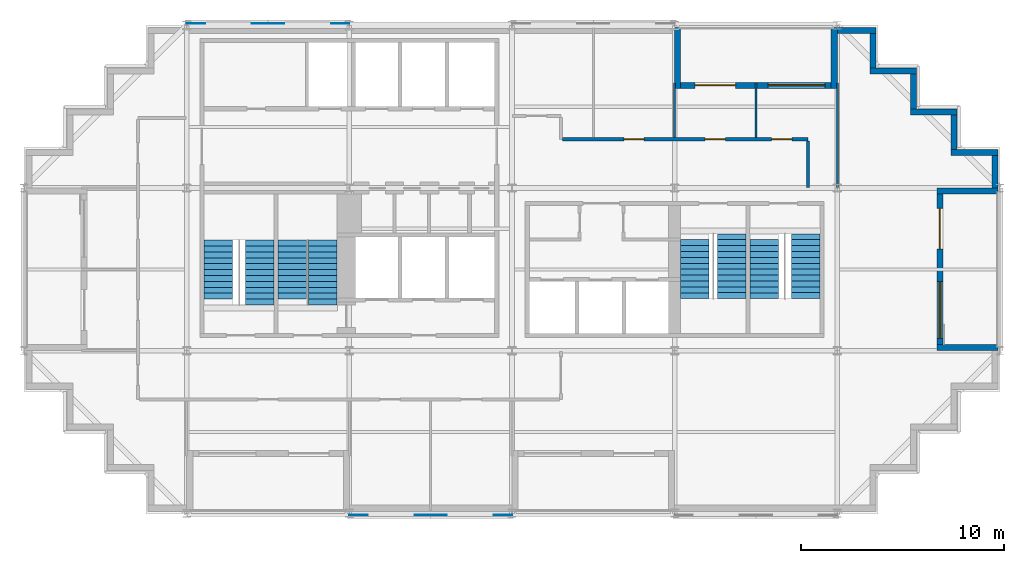
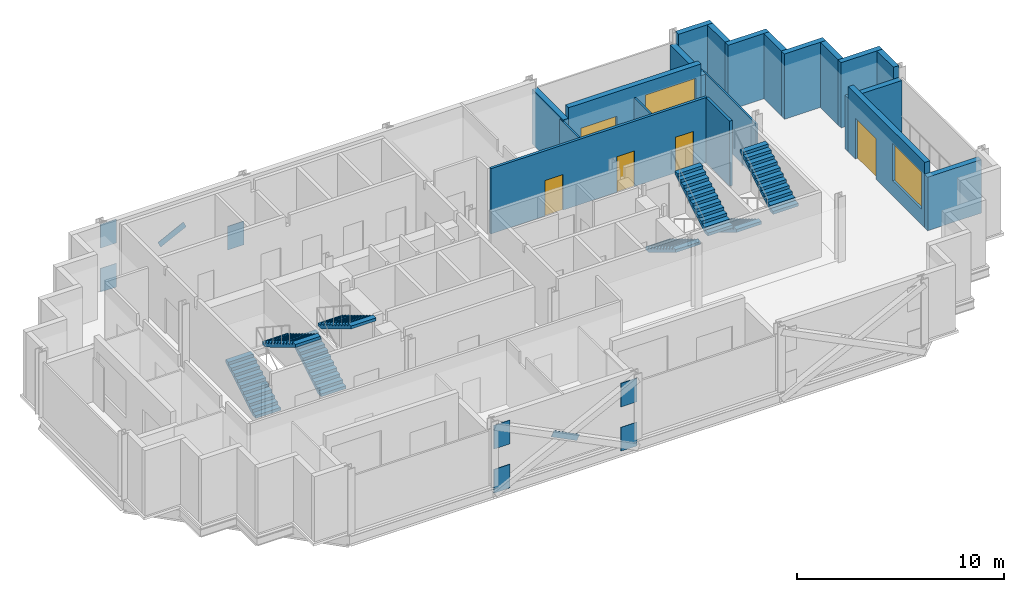
# One storey, part 5 of 7: 19 walls, 9 discrete accessories, 8 stair flights, 5 doors, 2 windows, 7 openings, 4 elements without a shape of their own.
"""IFC4 building model written with IfcOpenShell, lengths in metres."""

from ifc_helpers import new_model, si_unit, direction, frame, frame_2d, origin, origin_2d, place, context, subcontext, project, spatial, polyline, rectangle, outline, extrude, material, layer, layer_set, material_profile, profile_set, type_object, element, fill, aggregate, save


model = new_model("IFC4")

# Units and contexts
model_context = context("Model", 3, precision=1e-05, world=origin(), true_north=direction((0.0, 1.0)))
body_context = subcontext(model_context, "Body", "Model", "MODEL_VIEW")
ifc_project = project(units=[si_unit("LENGTHUNIT", "METRE"), si_unit("AREAUNIT", "SQUARE_METRE"), si_unit("VOLUMEUNIT", "CUBIC_METRE"), si_unit("PLANEANGLEUNIT", "RADIAN"), si_unit("MASSUNIT", "GRAM", prefix="KILO")], contexts=[model_context])

# Site, building, storey
site_placement = place(None, origin())
site = spatial("IfcSite", under=ifc_project, at=site_placement, CompositionType="ELEMENT")
building_placement = place(site_placement, origin())
building = spatial("IfcBuilding", under=site, at=building_placement, Name="Immortelle Media Tower", CompositionType="ELEMENT")
storey_placement = place(building_placement, frame((0.0, 0.0, 205.0)))
storey = spatial("IfcBuildingStorey", under=building, at=storey_placement, Name="L43", CompositionType="ELEMENT", Elevation=205.0)

# Wall
ifc_material_1 = material(Name="Fire-rated gypsum board", Category="gypsum")
ifc_layer_1 = layer(ifc_material_1, 0.012451171875)
ifc_material_2 = material(Name="Steel ASTM A653 SS Gr 50 stud frame with mineral wool", Category="steel")
ifc_layer_2 = layer(ifc_material_2, 0.125)
ifc_layer_3 = layer(ifc_material_1, 0.012451171875)
ifc_layer_set_1 = layer_set([ifc_layer_1, ifc_layer_2, ifc_layer_3], Name="Steel ASTM A653 SS Gr 50 stud frame with mineral wool")
wall_type_1 = type_object("IfcWallType", Name="Corridor wall 150", PredefinedType="PARTITIONING", material=ifc_layer_set_1)
wall_1_placement = place(storey_placement, frame((38.550048828125, 16.030029296875, 0.0), z_axis=(0.0, 0.0, 1.0), x_axis=(0.0, 1.0, 0.0)))
element("IfcWall", 1, at=wall_1_placement, inside=storey, type_object=wall_type_1, Name="Partition L43-011", PredefinedType="PARTITIONING", context=body_context, shape_type="SweptSolid", body=[
    extrude(rectangle(XDim=2.294921875, YDim=0.14990234375, at=frame_2d((1.1474609375, 0.0))), origin(), (0.0, 0.0, 1.0), 3.85009765625),
])

# Wall, openings, doors
wall_2_placement = place(storey_placement, frame((26.47509765625, 18.39990234375, 0.0), z_axis=(0.0, 0.0, 1.0), x_axis=(1.0, 0.0, 0.0)))
wall_2 = element("IfcWall", 2, at=wall_2_placement, inside=storey, type_object=wall_type_1, Name="Partition L43-013", PredefinedType="PARTITIONING", context=body_context, shape_type="SweptSolid", body=[
    extrude(rectangle(XDim=12.074951171875, YDim=0.14990234375, at=frame_2d((6.03759765625, 0.0))), origin(), (0.0, 0.0, 1.0), 3.85009765625),
])
opening_1_placement = place(wall_2_placement, frame((7.02490234375, 0.0, 0.0)))
opening_1 = element("IfcOpeningElement", 3, at=opening_1_placement, cuts=wall_2, Name="Opening O2-F009", PredefinedType="OPENING", context=body_context, shape_type="SweptSolid", body=[
    extrude(rectangle(XDim=1.0, YDim=2.10009765625, at=frame_2d((0.5, 1.050048828125))), frame((0.0, 0.0849609375, 0.0), z_axis=(0.0, -1.0, 0.0), x_axis=(1.0, 0.0, 0.0)), (0.0, 0.0, 1.0), 0.169921875),
])
opening_2_placement = place(wall_2_placement, frame((10.300048828125, 0.0, 0.0)))
opening_2 = element("IfcOpeningElement", 4, at=opening_2_placement, cuts=wall_2, Name="Opening O2-F010", PredefinedType="OPENING", context=body_context, shape_type="SweptSolid", body=[
    extrude(rectangle(XDim=1.0, YDim=2.10009765625, at=frame_2d((0.5, 1.050048828125))), frame((0.0, 0.0849609375, 0.0), z_axis=(0.0, -1.0, 0.0), x_axis=(1.0, 0.0, 0.0)), (0.0, 0.0, 1.0), 0.169921875),
])
opening_3_placement = place(wall_2_placement, frame((3.02490234375, 0.0, 0.0)))
opening_3 = element("IfcOpeningElement", 5, at=opening_3_placement, cuts=wall_2, Name="Opening O2-F012", PredefinedType="OPENING", context=body_context, shape_type="SweptSolid", body=[
    extrude(rectangle(XDim=1.0, YDim=2.10009765625, at=frame_2d((0.5, 1.050048828125))), frame((0.0, 0.0849609375, 0.0), z_axis=(0.0, -1.0, 0.0), x_axis=(1.0, 0.0, 0.0)), (0.0, 0.0, 1.0), 0.169921875),
])
ifc_material_3 = material(Name="Timber veneered door leaf, galvanised steel frame ASTM A653", Category="steel")
door_type_1 = type_object("IfcDoorType", Name="Room door 1000 x 2100", OperationType="NOTDEFINED", PredefinedType="DOOR", material=ifc_material_3)
door_1_placement = place(opening_1_placement, origin())
door_1 = element("IfcDoor", 6, at=door_1_placement, inside=storey, type_object=door_type_1, Name="Door O2-F009", OperationType="SINGLE_SWING_LEFT", OverallHeight=2.10009765625, OverallWidth=1.0, PredefinedType="DOOR", context=body_context, shape_type="SweptSolid", body=[
    extrude(rectangle(XDim=1.0, YDim=2.10009765625, at=frame_2d((0.5, 1.050048828125))), frame((0.0, 0.02490234375, 0.0), z_axis=(0.0, -1.0, 0.0), x_axis=(1.0, 0.0, 0.0)), (0.0, 0.0, 1.0), 0.050048828125),
])
fill(opening_1, door_1)
door_2_placement = place(opening_2_placement, origin())
door_2 = element("IfcDoor", 7, at=door_2_placement, inside=storey, type_object=door_type_1, Name="Door O2-F010", OperationType="SINGLE_SWING_LEFT", OverallHeight=2.10009765625, OverallWidth=1.0, PredefinedType="DOOR", context=body_context, shape_type="SweptSolid", body=[
    extrude(rectangle(XDim=1.0, YDim=2.10009765625, at=frame_2d((0.5, 1.050048828125))), frame((0.0, 0.02490234375, 0.0), z_axis=(0.0, -1.0, 0.0), x_axis=(1.0, 0.0, 0.0)), (0.0, 0.0, 1.0), 0.050048828125),
])
fill(opening_2, door_2)
door_3_placement = place(opening_3_placement, origin())
door_3 = element("IfcDoor", 8, at=door_3_placement, inside=storey, type_object=door_type_1, Name="Door O2-F012", OperationType="SINGLE_SWING_LEFT", OverallHeight=2.10009765625, OverallWidth=1.0, PredefinedType="DOOR", context=body_context, shape_type="SweptSolid", body=[
    extrude(rectangle(XDim=1.0, YDim=2.10009765625, at=frame_2d((0.5, 1.050048828125))), frame((0.0, 0.02490234375, 0.0), z_axis=(0.0, -1.0, 0.0), x_axis=(1.0, 0.0, 0.0)), (0.0, 0.0, 1.0), 0.050048828125),
])
fill(opening_3, door_3)

# Wall, openings, door, window
ifc_material_4 = material(Name="Pale aluminium cladding panel", Category="aluminium")
ifc_layer_4 = layer(ifc_material_4, 0.030029296875)
ifc_layer_5 = layer(ifc_material_2, 0.257568359375)
ifc_material_5 = material(Name="Moisture-resistant gypsum board", Category="gypsum")
ifc_layer_6 = layer(ifc_material_5, 0.012451171875)
ifc_layer_set_2 = layer_set([ifc_layer_4, ifc_layer_5, ifc_layer_6], Name="Steel ASTM A653 SS Gr 50 stud frame with mineral wool")
wall_type_2 = type_object("IfcWallType", Name="Facade wall 300", PredefinedType="SOLIDWALL", material=ifc_layer_set_2)
wall_3_placement = place(storey_placement, frame((45.050048828125, 8.300048828125, 0.0), z_axis=(0.0, 0.0, 1.0), x_axis=(0.0, 1.0, 0.0)))
wall_3 = element("IfcWall", 9, at=wall_3_placement, inside=storey, type_object=wall_type_2, Name="Loggia wall L43 E13", PredefinedType="SOLIDWALL", context=body_context, shape_type="SweptSolid", body=[
    extrude(rectangle(XDim=7.39990234375, YDim=0.300048828125, at=frame_2d((3.699951171875, 0.0))), origin(), (0.0, 0.0, 1.0), 3.85009765625),
])
opening_4_placement = place(wall_3_placement, frame((0.300048828125, 0.0, 0.89990234375)))
opening_4 = element("IfcOpeningElement", 10, at=opening_4_placement, cuts=wall_3, Name="Opening W1", PredefinedType="OPENING", context=body_context, shape_type="SweptSolid", body=[
    extrude(rectangle(XDim=2.800048828125, YDim=2.199951171875, at=frame_2d((1.39990234375, 1.10009765625))), frame((0.0, 0.159912109375, 0.0), z_axis=(0.0, -1.0, 0.0), x_axis=(1.0, 0.0, 0.0)), (0.0, 0.0, 1.0), 0.320068359375),
])
opening_5_placement = place(wall_3_placement, frame((4.699951171875, 0.0, 0.0)))
opening_5 = element("IfcOpeningElement", 11, at=opening_5_placement, cuts=wall_3, Name="Opening O2-E003", PredefinedType="OPENING", context=body_context, shape_type="SweptSolid", body=[
    extrude(rectangle(XDim=2.0, YDim=2.39990234375, at=frame_2d((1.0, 1.199951171875))), frame((0.0, 0.159912109375, 0.0), z_axis=(0.0, -1.0, 0.0), x_axis=(1.0, 0.0, 0.0)), (0.0, 0.0, 1.0), 0.320068359375),
])
ifc_material_6 = material(Name="Aluminium frame, glazed leaves", Category="aluminium")
door_type_2 = type_object("IfcDoorType", Name="Loggia door 2000 x 2400", OperationType="DOUBLE_DOOR_SINGLE_SWING", PredefinedType="DOOR", material=ifc_material_6)
door_4_placement = place(opening_5_placement, origin())
door_4 = element("IfcDoor", 12, at=door_4_placement, inside=storey, type_object=door_type_2, Name="Door O2-E003", OperationType="DOUBLE_DOOR_SINGLE_SWING", OverallHeight=2.39990234375, OverallWidth=2.0, PredefinedType="DOOR", context=body_context, shape_type="SweptSolid", body=[
    extrude(rectangle(XDim=2.0, YDim=2.39990234375, at=frame_2d((1.0, 1.199951171875))), frame((0.0, 0.02490234375, 0.0), z_axis=(0.0, -1.0, 0.0), x_axis=(1.0, 0.0, 0.0)), (0.0, 0.0, 1.0), 0.050048828125),
])
fill(opening_5, door_4)
ifc_material_7 = material(Name="Aluminium frame", Category="aluminium")
window_type = type_object("IfcWindowType", Name="Window 2800 x 2200", PartitioningType="SINGLE_PANEL", PredefinedType="WINDOW", material=ifc_material_7)
window_1_placement = place(opening_4_placement, origin())
window_1 = element("IfcWindow", 13, at=window_1_placement, inside=storey, type_object=window_type, Name="Window L43 L43-R13-B0", OverallHeight=2.199951171875, OverallWidth=2.800048828125, PartitioningType="SINGLE_PANEL", PredefinedType="WINDOW", context=body_context, shape_type="SweptSolid", body=[
    extrude(rectangle(XDim=2.800048828125, YDim=2.199951171875, at=frame_2d((1.39990234375, 1.10009765625))), frame((0.0, 0.030029296875, 0.0), z_axis=(0.0, -1.0, 0.0), x_axis=(1.0, 0.0, 0.0)), (0.0, 0.0, 1.0), 0.06005859375),
])
fill(opening_4, window_1)

# Walls
for number, where, z_axis, x_axis, name in (
    (14, (47.89990234375, 8.14990234375, 0.0), (0.0, 0.0, 1.0), (-1.0, 0.0, 0.0), "Loggia cheek wall L43 E"),
    (15, (47.89990234375, 15.85009765625, 0.0), (0.0, 0.0, 1.0), (-1.0, 0.0, 0.0), "Loggia cheek wall L43 E"),
):
    element("IfcWall", number, at=place(storey_placement, frame(where, z_axis=z_axis, x_axis=x_axis)), inside=storey, type_object=wall_type_2, Name=name, PredefinedType="SOLIDWALL", context=body_context, shape_type="SweptSolid", body=[
        extrude(rectangle(XDim=3.0, YDim=0.300048828125, at=frame_2d((1.5, 0.0))), origin(), (0.0, 0.0, 1.0), 3.156005859375),
    ])
wall_4_placement = place(storey_placement, frame((47.75, 16.0, 0.0), z_axis=(0.0, 0.0, 1.0), x_axis=(0.0, 1.0, 0.0)))
element("IfcWall", 16, at=wall_4_placement, inside=storey, type_object=wall_type_2, Name="Facade wall L43 E13", PredefinedType="SOLIDWALL", context=body_context, shape_type="SweptSolid", body=[
    extrude(rectangle(XDim=1.60009765625, YDim=0.300048828125, at=frame_2d((0.800048828125, 0.0))), origin(), (0.0, 0.0, 1.0), 3.85009765625),
])
wall_5_placement = place(storey_placement, frame((47.89990234375, 17.75, 0.0), z_axis=(0.0, 0.0, 1.0), x_axis=(-1.0, 0.0, 0.0)))
element("IfcWall", 17, at=wall_5_placement, inside=storey, type_object=wall_type_2, Name="Facade wall L43 N14", PredefinedType="SOLIDWALL", context=body_context, shape_type="SweptSolid", body=[
    extrude(rectangle(XDim=2.2998046875, YDim=0.300048828125, at=frame_2d((1.14990234375, 0.0))), origin(), (0.0, 0.0, 1.0), 3.85009765625),
])
wall_6_placement = place(storey_placement, frame((45.75, 17.89990234375, 0.0), z_axis=(0.0, 0.0, 1.0), x_axis=(0.0, 1.0, 0.0)))
element("IfcWall", 18, at=wall_6_placement, inside=storey, type_object=wall_type_2, Name="Facade wall L43 E15", PredefinedType="SOLIDWALL", context=body_context, shape_type="SweptSolid", body=[
    extrude(rectangle(XDim=1.7001953125, YDim=0.300048828125, at=frame_2d((0.85009765625, 0.0))), origin(), (0.0, 0.0, 1.0), 3.85009765625),
])
wall_7_placement = place(storey_placement, frame((45.89990234375, 19.75, 0.0), z_axis=(0.0, 0.0, 1.0), x_axis=(-1.0, 0.0, 0.0)))
element("IfcWall", 19, at=wall_7_placement, inside=storey, type_object=wall_type_2, Name="Facade wall L43 N16", PredefinedType="SOLIDWALL", context=body_context, shape_type="SweptSolid", body=[
    extrude(rectangle(XDim=2.2998046875, YDim=0.300048828125, at=frame_2d((1.14990234375, 0.0))), origin(), (0.0, 0.0, 1.0), 3.85009765625),
])
wall_8_placement = place(storey_placement, frame((43.75, 19.89990234375, 0.0), z_axis=(0.0, 0.0, 1.0), x_axis=(0.0, 1.0, 0.0)))
element("IfcWall", 20, at=wall_8_placement, inside=storey, type_object=wall_type_2, Name="Facade wall L43 E17", PredefinedType="SOLIDWALL", context=body_context, shape_type="SweptSolid", body=[
    extrude(rectangle(XDim=1.7001953125, YDim=0.300048828125, at=frame_2d((0.85009765625, 0.0))), origin(), (0.0, 0.0, 1.0), 3.85009765625),
])
wall_9_placement = place(storey_placement, frame((43.89990234375, 21.75, 0.0), z_axis=(0.0, 0.0, 1.0), x_axis=(-1.0, 0.0, 0.0)))
element("IfcWall", 21, at=wall_9_placement, inside=storey, type_object=wall_type_2, Name="Facade wall L43 N18", PredefinedType="SOLIDWALL", context=body_context, shape_type="SweptSolid", body=[
    extrude(rectangle(XDim=2.2998046875, YDim=0.300048828125, at=frame_2d((1.14990234375, 0.0))), origin(), (0.0, 0.0, 1.0), 3.85009765625),
])
wall_10_placement = place(storey_placement, frame((41.75, 21.89990234375, 0.0), z_axis=(0.0, 0.0, 1.0), x_axis=(0.0, 1.0, 0.0)))
element("IfcWall", 22, at=wall_10_placement, inside=storey, type_object=wall_type_2, Name="Facade wall L43 E19", PredefinedType="SOLIDWALL", context=body_context, shape_type="SweptSolid", body=[
    extrude(rectangle(XDim=1.7001953125, YDim=0.300048828125, at=frame_2d((0.85009765625, 0.0))), origin(), (0.0, 0.0, 1.0), 3.85009765625),
])
wall_11_placement = place(storey_placement, frame((41.89990234375, 23.75, 0.0), z_axis=(0.0, 0.0, 1.0), x_axis=(-1.0, 0.0, 0.0)))
element("IfcWall", 23, at=wall_11_placement, inside=storey, type_object=wall_type_2, Name="Facade wall L43 N20", PredefinedType="SOLIDWALL", context=body_context, shape_type="SweptSolid", body=[
    extrude(rectangle(XDim=1.89990234375, YDim=0.300048828125, at=frame_2d((0.949951171875, 0.0))), origin(), (0.0, 0.0, 1.0), 3.85009765625),
])

# Wall, openings, door, window
wall_12_placement = place(storey_placement, frame((39.699951171875, 21.050048828125, 0.0), z_axis=(0.0, 0.0, 1.0), x_axis=(-1.0, 0.0, 0.0)))
wall_12 = element("IfcWall", 24, at=wall_12_placement, inside=storey, type_object=wall_type_2, Name="Loggia wall L43 N20", PredefinedType="SOLIDWALL", context=body_context, shape_type="SweptSolid", body=[
    extrude(rectangle(XDim=7.39990234375, YDim=0.300048828125, at=frame_2d((3.699951171875, 0.0))), origin(), (0.0, 0.0, 1.0), 3.85009765625),
])
opening_6_placement = place(wall_12_placement, frame((0.300048828125, 0.0, 0.89990234375)))
opening_6 = element("IfcOpeningElement", 25, at=opening_6_placement, cuts=wall_12, Name="Opening W1", PredefinedType="OPENING", context=body_context, shape_type="SweptSolid", body=[
    extrude(rectangle(XDim=2.800048828125, YDim=2.199951171875, at=frame_2d((1.39990234375, 1.10009765625))), frame((0.0, 0.159912109375, 0.0), z_axis=(0.0, -1.0, 0.0), x_axis=(1.0, 0.0, 0.0)), (0.0, 0.0, 1.0), 0.320068359375),
])
opening_7_placement = place(wall_12_placement, frame((4.699951171875, 0.0, 0.0)))
opening_7 = element("IfcOpeningElement", 26, at=opening_7_placement, cuts=wall_12, Name="Opening O2-E004", PredefinedType="OPENING", context=body_context, shape_type="SweptSolid", body=[
    extrude(rectangle(XDim=2.0, YDim=2.39990234375, at=frame_2d((1.0, 1.199951171875))), frame((0.0, 0.159912109375, 0.0), z_axis=(0.0, -1.0, 0.0), x_axis=(1.0, 0.0, 0.0)), (0.0, 0.0, 1.0), 0.320068359375),
])
door_5_placement = place(opening_7_placement, origin())
door_5 = element("IfcDoor", 27, at=door_5_placement, inside=storey, type_object=door_type_2, Name="Door O2-E004", OperationType="DOUBLE_DOOR_SINGLE_SWING", OverallHeight=2.39990234375, OverallWidth=2.0, PredefinedType="DOOR", context=body_context, shape_type="SweptSolid", body=[
    extrude(rectangle(XDim=2.0, YDim=2.39990234375, at=frame_2d((1.0, 1.199951171875))), frame((0.0, 0.02490234375, 0.0), z_axis=(0.0, -1.0, 0.0), x_axis=(1.0, 0.0, 0.0)), (0.0, 0.0, 1.0), 0.050048828125),
])
fill(opening_7, door_5)
window_2_placement = place(opening_6_placement, origin())
window_2 = element("IfcWindow", 28, at=window_2_placement, inside=storey, type_object=window_type, Name="Window L43 L43-R20-B0", OverallHeight=2.199951171875, OverallWidth=2.800048828125, PartitioningType="SINGLE_PANEL", PredefinedType="WINDOW", context=body_context, shape_type="SweptSolid", body=[
    extrude(rectangle(XDim=2.800048828125, YDim=2.199951171875, at=frame_2d((1.39990234375, 1.10009765625))), frame((0.0, 0.030029296875, 0.0), z_axis=(0.0, -1.0, 0.0), x_axis=(1.0, 0.0, 0.0)), (0.0, 0.0, 1.0), 0.06005859375),
])
fill(opening_6, window_2)

# Walls
wall_13_placement = place(storey_placement, frame((39.85009765625, 23.89990234375, 0.0), z_axis=(0.0, 0.0, 1.0), x_axis=(0.0, -1.0, 0.0)))
element("IfcWall", 29, at=wall_13_placement, inside=storey, type_object=wall_type_2, Name="Loggia cheek wall L43 N", PredefinedType="SOLIDWALL", context=body_context, shape_type="SweptSolid", body=[
    extrude(rectangle(XDim=3.0, YDim=0.300048828125, at=frame_2d((1.5, 0.0))), origin(), (0.0, 0.0, 1.0), 3.156005859375),
])
wall_14_placement = place(storey_placement, frame((32.14990234375, 23.89990234375, 0.0), z_axis=(0.0, 0.0, 1.0), x_axis=(0.0, -1.0, 0.0)))
element("IfcWall", 30, at=wall_14_placement, inside=storey, type_object=wall_type_2, Name="Loggia cheek wall L43 N", PredefinedType="SOLIDWALL", context=body_context, shape_type="SweptSolid", body=[
    extrude(rectangle(XDim=3.0, YDim=0.300048828125, at=frame_2d((1.5, 0.0))), origin(), (0.0, 0.0, 1.0), 3.237060546875),
])
ifc_material_8 = material(Name="Gypsum board", Category="gypsum")
ifc_layer_7 = layer(ifc_material_8, 0.012451171875)
ifc_layer_8 = layer(ifc_material_2, 0.074951171875)
ifc_layer_9 = layer(ifc_material_8, 0.012451171875)
ifc_layer_set_3 = layer_set([ifc_layer_7, ifc_layer_8, ifc_layer_9], Name="Steel ASTM A653 SS Gr 50 stud frame with mineral wool")
wall_type_3 = type_object("IfcWallType", Name="Partition 100", PredefinedType="PARTITIONING", material=ifc_layer_set_3)
wall_15_placement = place(storey_placement, frame((40.0, 16.030029296875, 0.0), z_axis=(0.0, 0.0, 1.0), x_axis=(0.0, 1.0, 0.0)))
element("IfcWall", 31, at=wall_15_placement, inside=storey, type_object=wall_type_3, Name="Partition L43-012", PredefinedType="PARTITIONING", context=body_context, shape_type="SweptSolid", body=[
    extrude(rectangle(XDim=5.139892578125, YDim=0.10009765625, at=frame_2d((2.56982421875, 0.0))), origin(), (0.0, 0.0, 1.0), 3.156982421875),
])
for number, where, z_axis, x_axis, name in (
    (32, (32.0, 18.47509765625, 0.0), (0.0, 0.0, 1.0), (0.0, 1.0, 0.0), "Partition L43-016"),
    (33, (36.0, 18.47509765625, 0.0), (0.0, 0.0, 1.0), (0.0, 1.0, 0.0), "Partition L43-017"),
):
    element("IfcWall", number, at=place(storey_placement, frame(where, z_axis=z_axis, x_axis=x_axis)), inside=storey, type_object=wall_type_3, Name=name, PredefinedType="PARTITIONING", context=body_context, shape_type="SweptSolid", body=[
        extrude(rectangle(XDim=2.69482421875, YDim=0.10009765625, at=frame_2d((1.347412109375, 0.0))), origin(), (0.0, 0.0, 1.0), 3.156982421875),
    ])

# Stair, stair flights
ifc_material_9 = material(Name="Steel ASTM A992 Gr 50", Category="steel")
stair_type = type_object("IfcStairType", Name="Stair with flights", PredefinedType="DOUBLE_RETURN_STAIR", material=ifc_material_9)
stair_1_placement = place(storey_placement, origin())
stair_1 = element("IfcStair", 34, at=stair_1_placement, inside=storey, type_object=stair_type, Name="Exit stair SW1", PredefinedType="DOUBLE_RETURN_STAIR")
stair_flight_type = type_object("IfcStairFlightType", Name="Stair flight 1400", PredefinedType="STRAIGHT", material=ifc_material_9)
stair_flight_1_placement = place(storey_placement, frame((9.550048828125, 10.5400390625, 0.0), z_axis=(0.0, 0.0, 1.0), x_axis=(0.0, 1.0, 0.0)))
stair_flight_1 = element("IfcStairFlight", 35, at=stair_flight_1_placement, type_object=stair_flight_type, Name="ST SW1 flight 1", NumberOfRisers=11, NumberOfTreads=10, PredefinedType="STRAIGHT", RiserHeight=0.173913043, TreadLength=0.29, context=body_context, shape_type="SweptSolid", body=[
    extrude(outline(polyline([(0.0, 0.0), (0.0, 0.173828125), (0.2900390625, 0.173828125), (0.2900390625, 0.347900390625), (0.580078125, 0.347900390625), (0.580078125, 0.521728515625), (0.8701171875, 0.521728515625), (0.8701171875, 0.695556640625), (1.159912109375, 0.695556640625), (1.159912109375, 0.86962890625), (1.449951171875, 0.86962890625), (1.449951171875, 1.04345703125), (1.739990234375, 1.04345703125), (1.739990234375, 1.21728515625), (2.030029296875, 1.21728515625), (2.030029296875, 1.391357421875), (2.320068359375, 1.391357421875), (2.320068359375, 1.565185546875), (2.610107421875, 1.565185546875), (2.610107421875, 1.739013671875), (2.89990234375, 1.739013671875), (2.89990234375, 1.9130859375), (2.89990234375, 1.564453125), (0.29150390625, 0.0), (0.0, 0.0)])), frame((0.0, 0.699951171875, 0.0), z_axis=(0.0, -1.0, 0.0), x_axis=(1.0, 0.0, 0.0)), (0.0, 0.0, 1.0), 1.39990234375),
])
stair_flight_2_placement = place(storey_placement, frame((11.60009765625, 13.43994140625, 1.9130859375), z_axis=(0.0, 0.0, 1.0), x_axis=(0.0, -1.0, 0.0)))
stair_flight_2 = element("IfcStairFlight", 36, at=stair_flight_2_placement, type_object=stair_flight_type, Name="ST SW1 flight 2", NumberOfRisers=12, NumberOfTreads=11, PredefinedType="STRAIGHT", RiserHeight=0.173913043, TreadLength=0.29, context=body_context, shape_type="SweptSolid", body=[
    extrude(outline(polyline([(0.0, 0.0), (0.0, 0.173828125), (0.2900390625, 0.173828125), (0.2900390625, 0.347900390625), (0.580078125, 0.347900390625), (0.580078125, 0.521728515625), (0.8701171875, 0.521728515625), (0.8701171875, 0.695556640625), (1.159912109375, 0.695556640625), (1.159912109375, 0.86962890625), (1.449951171875, 0.86962890625), (1.449951171875, 1.04345703125), (1.739990234375, 1.04345703125), (1.739990234375, 1.21728515625), (2.030029296875, 1.21728515625), (2.030029296875, 1.391357421875), (2.320068359375, 1.391357421875), (2.320068359375, 1.565185546875), (2.610107421875, 1.565185546875), (2.610107421875, 1.739013671875), (2.89990234375, 1.739013671875), (2.89990234375, 1.9130859375), (3.18994140625, 1.9130859375), (3.18994140625, 2.0869140625), (3.18994140625, 1.73828125), (0.29150390625, 0.0), (0.0, 0.0)])), frame((0.0, 0.699951171875, 0.0), z_axis=(0.0, -1.0, 0.0), x_axis=(1.0, 0.0, 0.0)), (0.0, 0.0, 1.0), 1.39990234375),
])
aggregate(stair_1, [stair_flight_1, stair_flight_2])

stair_2_placement = place(storey_placement, origin())
stair_2 = element("IfcStair", 37, at=stair_2_placement, inside=storey, type_object=stair_type, Name="Exit stair SW2", PredefinedType="DOUBLE_RETURN_STAIR")
stair_flight_3_placement = place(storey_placement, frame((13.199951171875, 10.5400390625, 0.0), z_axis=(0.0, 0.0, 1.0), x_axis=(0.0, 1.0, 0.0)))
stair_flight_3 = element("IfcStairFlight", 38, at=stair_flight_3_placement, type_object=stair_flight_type, Name="ST SW2 flight 1", NumberOfRisers=11, NumberOfTreads=10, PredefinedType="STRAIGHT", RiserHeight=0.173913043, TreadLength=0.29, context=body_context, shape_type="SweptSolid", body=[
    extrude(outline(polyline([(0.0, 0.0), (0.0, 0.173828125), (0.2900390625, 0.173828125), (0.2900390625, 0.347900390625), (0.580078125, 0.347900390625), (0.580078125, 0.521728515625), (0.8701171875, 0.521728515625), (0.8701171875, 0.695556640625), (1.159912109375, 0.695556640625), (1.159912109375, 0.86962890625), (1.449951171875, 0.86962890625), (1.449951171875, 1.04345703125), (1.739990234375, 1.04345703125), (1.739990234375, 1.21728515625), (2.030029296875, 1.21728515625), (2.030029296875, 1.391357421875), (2.320068359375, 1.391357421875), (2.320068359375, 1.565185546875), (2.610107421875, 1.565185546875), (2.610107421875, 1.739013671875), (2.89990234375, 1.739013671875), (2.89990234375, 1.9130859375), (2.89990234375, 1.564453125), (0.29150390625, 0.0), (0.0, 0.0)])), frame((0.0, 0.699951171875, 0.0), z_axis=(0.0, -1.0, 0.0), x_axis=(1.0, 0.0, 0.0)), (0.0, 0.0, 1.0), 1.39990234375),
])
stair_flight_4_placement = place(storey_placement, frame((14.699951171875, 13.43994140625, 1.9130859375), z_axis=(0.0, 0.0, 1.0), x_axis=(0.0, -1.0, 0.0)))
stair_flight_4 = element("IfcStairFlight", 39, at=stair_flight_4_placement, type_object=stair_flight_type, Name="ST SW2 flight 2", NumberOfRisers=12, NumberOfTreads=11, PredefinedType="STRAIGHT", RiserHeight=0.173913043, TreadLength=0.29, context=body_context, shape_type="SweptSolid", body=[
    extrude(outline(polyline([(0.0, 0.0), (0.0, 0.173828125), (0.2900390625, 0.173828125), (0.2900390625, 0.347900390625), (0.580078125, 0.347900390625), (0.580078125, 0.521728515625), (0.8701171875, 0.521728515625), (0.8701171875, 0.695556640625), (1.159912109375, 0.695556640625), (1.159912109375, 0.86962890625), (1.449951171875, 0.86962890625), (1.449951171875, 1.04345703125), (1.739990234375, 1.04345703125), (1.739990234375, 1.21728515625), (2.030029296875, 1.21728515625), (2.030029296875, 1.391357421875), (2.320068359375, 1.391357421875), (2.320068359375, 1.565185546875), (2.610107421875, 1.565185546875), (2.610107421875, 1.739013671875), (2.89990234375, 1.739013671875), (2.89990234375, 1.9130859375), (3.18994140625, 1.9130859375), (3.18994140625, 2.0869140625), (3.18994140625, 1.73828125), (0.29150390625, 0.0), (0.0, 0.0)])), frame((0.0, 0.699951171875, 0.0), z_axis=(0.0, -1.0, 0.0), x_axis=(1.0, 0.0, 0.0)), (0.0, 0.0, 1.0), 1.39990234375),
])
aggregate(stair_2, [stair_flight_3, stair_flight_4])

stair_3_placement = place(storey_placement, origin())
stair_3 = element("IfcStair", 40, at=stair_3_placement, inside=storey, type_object=stair_type, Name="Exit stair SE1", PredefinedType="DOUBLE_RETURN_STAIR")
stair_flight_5_placement = place(storey_placement, frame((33.0, 13.4599609375, 0.0), z_axis=(0.0, 0.0, 1.0), x_axis=(0.0, -1.0, 0.0)))
stair_flight_5 = element("IfcStairFlight", 41, at=stair_flight_5_placement, type_object=stair_flight_type, Name="ST SE1 flight 1", NumberOfRisers=11, NumberOfTreads=10, PredefinedType="STRAIGHT", RiserHeight=0.173913043, TreadLength=0.29, context=body_context, shape_type="SweptSolid", body=[
    extrude(outline(polyline([(0.0, 0.0), (0.0, 0.173828125), (0.2900390625, 0.173828125), (0.2900390625, 0.347900390625), (0.580078125, 0.347900390625), (0.580078125, 0.521728515625), (0.8701171875, 0.521728515625), (0.8701171875, 0.695556640625), (1.159912109375, 0.695556640625), (1.159912109375, 0.86962890625), (1.449951171875, 0.86962890625), (1.449951171875, 1.04345703125), (1.739990234375, 1.04345703125), (1.739990234375, 1.21728515625), (2.030029296875, 1.21728515625), (2.030029296875, 1.391357421875), (2.320068359375, 1.391357421875), (2.320068359375, 1.565185546875), (2.610107421875, 1.565185546875), (2.610107421875, 1.739013671875), (2.89990234375, 1.739013671875), (2.89990234375, 1.9130859375), (2.89990234375, 1.564453125), (0.29150390625, 0.0), (0.0, 0.0)])), frame((0.0, 0.699951171875, 0.0), z_axis=(0.0, -1.0, 0.0), x_axis=(1.0, 0.0, 0.0)), (0.0, 0.0, 1.0), 1.39990234375),
])
stair_flight_6_placement = place(storey_placement, frame((34.800048828125, 10.56005859375, 1.9130859375), z_axis=(0.0, 0.0, 1.0), x_axis=(0.0, 1.0, 0.0)))
stair_flight_6 = element("IfcStairFlight", 42, at=stair_flight_6_placement, type_object=stair_flight_type, Name="ST SE1 flight 2", NumberOfRisers=12, NumberOfTreads=11, PredefinedType="STRAIGHT", RiserHeight=0.173913043, TreadLength=0.29, context=body_context, shape_type="SweptSolid", body=[
    extrude(outline(polyline([(0.0, 0.0), (0.0, 0.173828125), (0.2900390625, 0.173828125), (0.2900390625, 0.347900390625), (0.580078125, 0.347900390625), (0.580078125, 0.521728515625), (0.8701171875, 0.521728515625), (0.8701171875, 0.695556640625), (1.159912109375, 0.695556640625), (1.159912109375, 0.86962890625), (1.449951171875, 0.86962890625), (1.449951171875, 1.04345703125), (1.739990234375, 1.04345703125), (1.739990234375, 1.21728515625), (2.030029296875, 1.21728515625), (2.030029296875, 1.391357421875), (2.320068359375, 1.391357421875), (2.320068359375, 1.565185546875), (2.610107421875, 1.565185546875), (2.610107421875, 1.739013671875), (2.89990234375, 1.739013671875), (2.89990234375, 1.9130859375), (3.18994140625, 1.9130859375), (3.18994140625, 2.0869140625), (3.18994140625, 1.73828125), (0.29150390625, 0.0), (0.0, 0.0)])), frame((0.0, 0.699951171875, 0.0), z_axis=(0.0, -1.0, 0.0), x_axis=(1.0, 0.0, 0.0)), (0.0, 0.0, 1.0), 1.39990234375),
])
aggregate(stair_3, [stair_flight_5, stair_flight_6])

stair_4_placement = place(storey_placement, origin())
stair_4 = element("IfcStair", 43, at=stair_4_placement, inside=storey, type_object=stair_type, Name="Exit stair SE2", PredefinedType="DOUBLE_RETURN_STAIR")
stair_flight_7_placement = place(storey_placement, frame((36.39990234375, 13.4599609375, 0.0), z_axis=(0.0, 0.0, 1.0), x_axis=(0.0, -1.0, 0.0)))
stair_flight_7 = element("IfcStairFlight", 44, at=stair_flight_7_placement, type_object=stair_flight_type, Name="ST SE2 flight 1", NumberOfRisers=11, NumberOfTreads=10, PredefinedType="STRAIGHT", RiserHeight=0.173913043, TreadLength=0.29, context=body_context, shape_type="SweptSolid", body=[
    extrude(outline(polyline([(0.0, 0.0), (0.0, 0.173828125), (0.2900390625, 0.173828125), (0.2900390625, 0.347900390625), (0.580078125, 0.347900390625), (0.580078125, 0.521728515625), (0.8701171875, 0.521728515625), (0.8701171875, 0.695556640625), (1.159912109375, 0.695556640625), (1.159912109375, 0.86962890625), (1.449951171875, 0.86962890625), (1.449951171875, 1.04345703125), (1.739990234375, 1.04345703125), (1.739990234375, 1.21728515625), (2.030029296875, 1.21728515625), (2.030029296875, 1.391357421875), (2.320068359375, 1.391357421875), (2.320068359375, 1.565185546875), (2.610107421875, 1.565185546875), (2.610107421875, 1.739013671875), (2.89990234375, 1.739013671875), (2.89990234375, 1.9130859375), (2.89990234375, 1.564453125), (0.29150390625, 0.0), (0.0, 0.0)])), frame((0.0, 0.699951171875, 0.0), z_axis=(0.0, -1.0, 0.0), x_axis=(1.0, 0.0, 0.0)), (0.0, 0.0, 1.0), 1.39990234375),
])
stair_flight_8_placement = place(storey_placement, frame((38.449951171875, 10.56005859375, 1.9130859375), z_axis=(0.0, 0.0, 1.0), x_axis=(0.0, 1.0, 0.0)))
stair_flight_8 = element("IfcStairFlight", 45, at=stair_flight_8_placement, type_object=stair_flight_type, Name="ST SE2 flight 2", NumberOfRisers=12, NumberOfTreads=11, PredefinedType="STRAIGHT", RiserHeight=0.173913043, TreadLength=0.29, context=body_context, shape_type="SweptSolid", body=[
    extrude(outline(polyline([(0.0, 0.0), (0.0, 0.173828125), (0.2900390625, 0.173828125), (0.2900390625, 0.347900390625), (0.580078125, 0.347900390625), (0.580078125, 0.521728515625), (0.8701171875, 0.521728515625), (0.8701171875, 0.695556640625), (1.159912109375, 0.695556640625), (1.159912109375, 0.86962890625), (1.449951171875, 0.86962890625), (1.449951171875, 1.04345703125), (1.739990234375, 1.04345703125), (1.739990234375, 1.21728515625), (2.030029296875, 1.21728515625), (2.030029296875, 1.391357421875), (2.320068359375, 1.391357421875), (2.320068359375, 1.565185546875), (2.610107421875, 1.565185546875), (2.610107421875, 1.739013671875), (2.89990234375, 1.739013671875), (2.89990234375, 1.9130859375), (3.18994140625, 1.9130859375), (3.18994140625, 2.0869140625), (3.18994140625, 1.73828125), (0.29150390625, 0.0), (0.0, 0.0)])), frame((0.0, 0.699951171875, 0.0), z_axis=(0.0, -1.0, 0.0), x_axis=(1.0, 0.0, 0.0)), (0.0, 0.0, 1.0), 1.39990234375),
])
aggregate(stair_4, [stair_flight_7, stair_flight_8])

# Discrete accessories
ifc_material_10 = material(Name="Steel ASTM A572 Gr 50", Category="steel")
ifc_material_profile_1 = material_profile(ifc_material_10, rectangle(XDim=0.02392578125, YDim=0.35595703125, at=origin_2d()), Name="PL 24 x 356")
ifc_profile_set_1 = profile_set([ifc_material_profile_1], Name="Steel ASTM A572 Gr 50")
discrete_accessory_type_1 = type_object("IfcDiscreteAccessoryType", Name="Crossing plate XP-BR5 1600 x 356 x 24", PredefinedType="USERDEFINED", material=ifc_profile_set_1)
for number, where, z_axis, x_axis, name in (
    (46, (12.715576171875, 24.087890625, 1.90185546875), (-0.894427191, 0.0, -0.4472135955), (0.0, -1.0, 0.0), "Crossing plate XP-BR5 of Brace D/2-3 A and Brace D/2-3 B"),
    (47, (19.284423828125, -0.087890625, 1.90185546875), (0.894427191, 0.0, -0.4472135955), (0.0, 1.0, 0.0), "Crossing plate XP-BR5 of Brace A/3-4 A and Brace A/3-4 B"),
):
    element("IfcDiscreteAccessory", number, at=place(storey_placement, frame(where, z_axis=z_axis, x_axis=x_axis)), inside=storey, type_object=discrete_accessory_type_1, Name=name, ObjectType="CROSSING PLATE", PredefinedType="USERDEFINED", context=body_context, shape_type="SweptSolid", body=[
        extrude(rectangle(XDim=0.02392578125, YDim=0.35595703125, at=origin_2d()), origin(), (0.0, 0.0, 1.0), 1.60009765625),
    ])
ifc_material_profile_2 = material_profile(ifc_material_10, rectangle(XDim=0.031982421875, YDim=1.39990234375, at=origin_2d()), Name="PL 32 x 1400")
ifc_profile_set_2 = profile_set([ifc_material_profile_2], Name="Steel ASTM A572 Gr 50")
discrete_accessory_type_2 = type_object("IfcDiscreteAccessoryType", Name="Gusset plate GP1 900 x 1400 x 32", PredefinedType="USERDEFINED", material=ifc_profile_set_2)
for number, where, z_axis, x_axis, name in (
    (48, (16.0, -0.087890625, 0.243896484375), (1.0, 0.0, 0.0), (0.0, 1.0, 0.0), "Gusset plate GP1, lower end of Brace A/3-4 A"),
    (49, (24.0, -0.087890625, 2.843994140625), (-1.0, 0.0, 0.0), (0.0, -1.0, 0.0), "Gusset plate GP1, upper end of Brace A/3-4 A"),
    (50, (24.0, -0.087890625, 0.243896484375), (-1.0, 0.0, 0.0), (0.0, -1.0, 0.0), "Gusset plate GP1, lower end of Brace A/3-4 B"),
    (51, (16.0, -0.087890625, 2.843994140625), (1.0, 0.0, 0.0), (0.0, 1.0, 0.0), "Gusset plate GP1, upper end of Brace A/3-4 B"),
    (52, (16.0, 24.087890625, 0.243896484375), (-1.0, 0.0, 0.0), (0.0, -1.0, 0.0), "Gusset plate GP1, lower end of Brace D/2-3 A"),
    (53, (8.0, 24.087890625, 2.843994140625), (1.0, 0.0, 0.0), (0.0, 1.0, 0.0), "Gusset plate GP1, upper end of Brace D/2-3 A"),
    (54, (8.0, 24.087890625, 0.243896484375), (1.0, 0.0, 0.0), (0.0, 1.0, 0.0), "Gusset plate GP1, lower end of Brace D/2-3 B"),
):
    element("IfcDiscreteAccessory", number, at=place(storey_placement, frame(where, z_axis=z_axis, x_axis=x_axis)), inside=storey, type_object=discrete_accessory_type_2, Name=name, ObjectType="GUSSET PLATE", PredefinedType="USERDEFINED", context=body_context, shape_type="SweptSolid", body=[
        extrude(rectangle(XDim=0.031982421875, YDim=1.39990234375, at=origin_2d()), origin(), (0.0, 0.0, 1.0), 0.89990234375),
    ])

save(model, "model.ifc")
